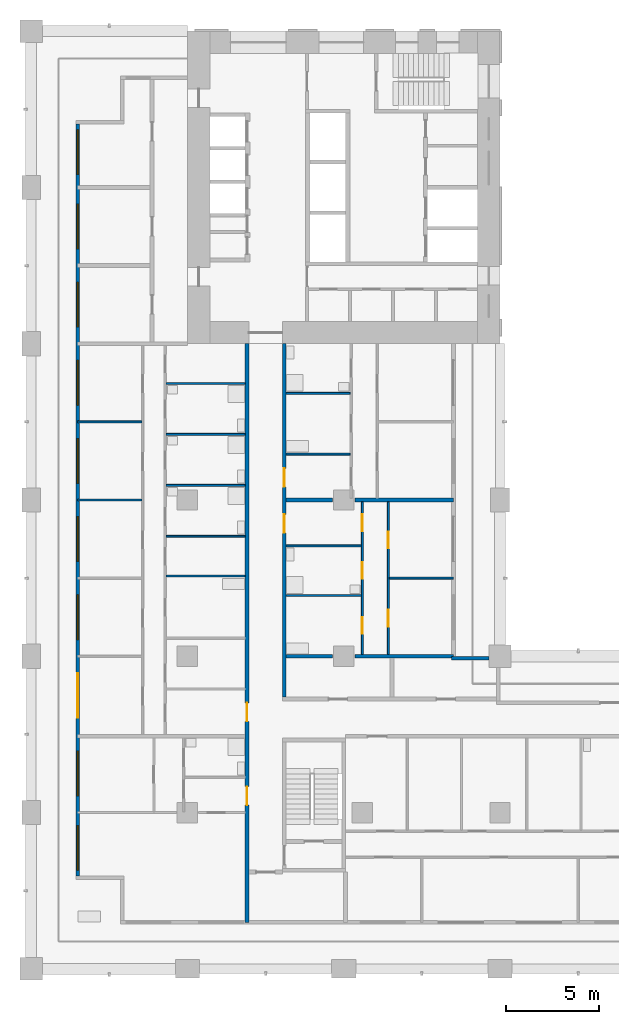
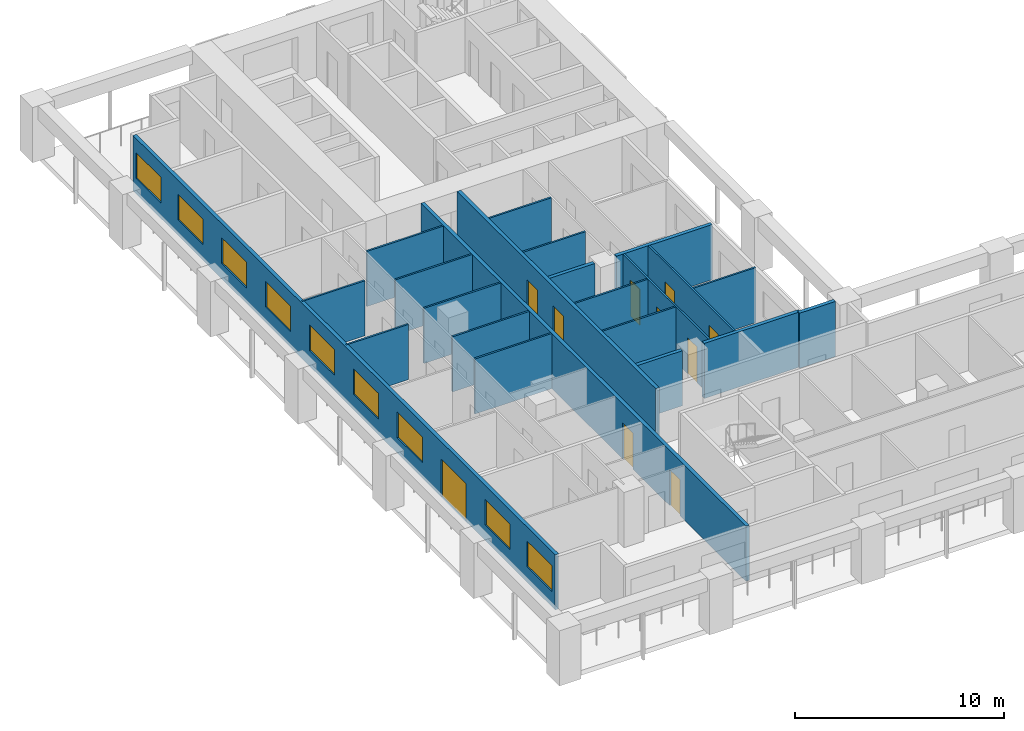
# One storey, part 4 of 17: 22 walls, 10 doors, 9 windows, 19 openings.
"""IFC4 building model written with IfcOpenShell, lengths in metres."""

from ifc_helpers import new_model, si_unit, direction, frame, frame_2d, origin, place, context, subcontext, project, spatial, rectangle, extrude, material, layer, layer_set, type_object, element, fill, save


model = new_model("IFC4")

# Units and contexts
model_context = context("Model", 3, precision=1e-05, world=origin(), true_north=direction((0.0, 1.0)))
body_context = subcontext(model_context, "Body", "Model", "MODEL_VIEW")
ifc_project = project(units=[si_unit("LENGTHUNIT", "METRE"), si_unit("AREAUNIT", "SQUARE_METRE"), si_unit("VOLUMEUNIT", "CUBIC_METRE"), si_unit("PLANEANGLEUNIT", "RADIAN"), si_unit("MASSUNIT", "GRAM", prefix="KILO")], contexts=[model_context])

# Site, building, storey
site_placement = place(None, origin())
site = spatial("IfcSite", under=ifc_project, at=site_placement, CompositionType="ELEMENT")
building_placement = place(site_placement, origin())
building = spatial("IfcBuilding", under=site, at=building_placement, Name="Vermilion Gate Residences", CompositionType="ELEMENT")
storey_placement = place(building_placement, frame((0.0, 0.0, 98.699951171875)))
storey = spatial("IfcBuildingStorey", under=building, at=storey_placement, Name="L24", CompositionType="ELEMENT", Elevation=98.699951171875)

# Wall, openings, door, windows
ifc_material_1 = material(Name="Insulated steel stud wall with terracotta rainscreen", Category="masonry")
ifc_layer_1 = layer(ifc_material_1, 0.199951171875)
ifc_layer_set_1 = layer_set([ifc_layer_1], Name="EXTERNAL WALL 200 TERRACOTTA RAINSCREEN")
wall_type_1 = type_object("IfcWallType", Name="EXTERNAL WALL 200 TERRACOTTA RAINSCREEN", PredefinedType="SOLIDWALL", material=ifc_layer_set_1)
wall_1_placement = place(storey_placement, frame((2.5, 53.800048828125, 0.0), z_axis=(0.0, 0.0, 1.0), x_axis=(0.0, -1.0, 0.0)))
wall_1 = element("IfcWall", 1, at=wall_1_placement, inside=storey, type_object=wall_type_1, Name="External wall", PredefinedType="SOLIDWALL", context=body_context, shape_type="SweptSolid", body=[
    extrude(rectangle(XDim=40.400146484375, YDim=0.199951171875, at=frame_2d((20.2001953125, 0.0))), origin(), (0.0, 0.0, 1.0), 3.219970703125),
])
opening_1_placement = place(wall_1_placement, frame((37.699951171875, 0.0, 0.89990234375)))
opening_1 = element("IfcOpeningElement", 2, at=opening_1_placement, cuts=wall_1, Name="Opening WE24002", PredefinedType="OPENING", context=body_context, shape_type="SweptSolid", body=[
    extrude(rectangle(XDim=2.39990234375, YDim=1.5, at=frame_2d((1.199951171875, 0.75))), frame((0.0, 0.10986328125, 0.0), z_axis=(0.0, -1.0, 0.0), x_axis=(1.0, 0.0, 0.0)), (0.0, 0.0, 1.0), 0.219970703125),
])
opening_2_placement = place(wall_1_placement, frame((33.699951171875, 0.0, 0.89990234375)))
opening_2 = element("IfcOpeningElement", 3, at=opening_2_placement, cuts=wall_1, Name="Opening WE24003", PredefinedType="OPENING", context=body_context, shape_type="SweptSolid", body=[
    extrude(rectangle(XDim=2.39990234375, YDim=1.5, at=frame_2d((1.199951171875, 0.75))), frame((0.0, 0.10986328125, 0.0), z_axis=(0.0, -1.0, 0.0), x_axis=(1.0, 0.0, 0.0)), (0.0, 0.0, 1.0), 0.219970703125),
])
opening_3_placement = place(wall_1_placement, frame((29.5, 0.0, 0.0)))
opening_3 = element("IfcOpeningElement", 4, at=opening_3_placement, cuts=wall_1, Name="Opening DE24004", PredefinedType="OPENING", context=body_context, shape_type="SweptSolid", body=[
    extrude(rectangle(XDim=2.39990234375, YDim=2.199951171875, at=frame_2d((1.199951171875, 1.10009765625))), frame((0.0, 0.10986328125, 0.0), z_axis=(0.0, -1.0, 0.0), x_axis=(1.0, 0.0, 0.0)), (0.0, 0.0, 1.0), 0.219970703125),
])
opening_4_placement = place(wall_1_placement, frame((25.300048828125, 0.0, 0.89990234375)))
opening_4 = element("IfcOpeningElement", 5, at=opening_4_placement, cuts=wall_1, Name="Opening WE24005", PredefinedType="OPENING", context=body_context, shape_type="SweptSolid", body=[
    extrude(rectangle(XDim=2.39990234375, YDim=1.5, at=frame_2d((1.199951171875, 0.75))), frame((0.0, 0.10986328125, 0.0), z_axis=(0.0, -1.0, 0.0), x_axis=(1.0, 0.0, 0.0)), (0.0, 0.0, 1.0), 0.219970703125),
])
opening_5_placement = place(wall_1_placement, frame((21.10009765625, 0.0, 0.89990234375)))
opening_5 = element("IfcOpeningElement", 6, at=opening_5_placement, cuts=wall_1, Name="Opening WE24006", PredefinedType="OPENING", context=body_context, shape_type="SweptSolid", body=[
    extrude(rectangle(XDim=2.39990234375, YDim=1.5, at=frame_2d((1.199951171875, 0.75))), frame((0.0, 0.10986328125, 0.0), z_axis=(0.0, -1.0, 0.0), x_axis=(1.0, 0.0, 0.0)), (0.0, 0.0, 1.0), 0.219970703125),
])
opening_6_placement = place(wall_1_placement, frame((16.89990234375, 0.0, 0.89990234375)))
opening_6 = element("IfcOpeningElement", 7, at=opening_6_placement, cuts=wall_1, Name="Opening WE24007", PredefinedType="OPENING", context=body_context, shape_type="SweptSolid", body=[
    extrude(rectangle(XDim=2.39990234375, YDim=1.5, at=frame_2d((1.199951171875, 0.75))), frame((0.0, 0.10986328125, 0.0), z_axis=(0.0, -1.0, 0.0), x_axis=(1.0, 0.0, 0.0)), (0.0, 0.0, 1.0), 0.219970703125),
])
opening_7_placement = place(wall_1_placement, frame((12.699951171875, 0.0, 0.89990234375)))
opening_7 = element("IfcOpeningElement", 8, at=opening_7_placement, cuts=wall_1, Name="Opening WE24008", PredefinedType="OPENING", context=body_context, shape_type="SweptSolid", body=[
    extrude(rectangle(XDim=2.39990234375, YDim=1.5, at=frame_2d((1.199951171875, 0.75))), frame((0.0, 0.10986328125, 0.0), z_axis=(0.0, -1.0, 0.0), x_axis=(1.0, 0.0, 0.0)), (0.0, 0.0, 1.0), 0.219970703125),
])
opening_8_placement = place(wall_1_placement, frame((8.5, 0.0, 0.89990234375)))
opening_8 = element("IfcOpeningElement", 9, at=opening_8_placement, cuts=wall_1, Name="Opening WE24009", PredefinedType="OPENING", context=body_context, shape_type="SweptSolid", body=[
    extrude(rectangle(XDim=2.39990234375, YDim=1.5, at=frame_2d((1.199951171875, 0.75))), frame((0.0, 0.10986328125, 0.0), z_axis=(0.0, -1.0, 0.0), x_axis=(1.0, 0.0, 0.0)), (0.0, 0.0, 1.0), 0.219970703125),
])
opening_9_placement = place(wall_1_placement, frame((4.300048828125, 0.0, 0.89990234375)))
opening_9 = element("IfcOpeningElement", 10, at=opening_9_placement, cuts=wall_1, Name="Opening WE24010", PredefinedType="OPENING", context=body_context, shape_type="SweptSolid", body=[
    extrude(rectangle(XDim=2.39990234375, YDim=1.5, at=frame_2d((1.199951171875, 0.75))), frame((0.0, 0.10986328125, 0.0), z_axis=(0.0, -1.0, 0.0), x_axis=(1.0, 0.0, 0.0)), (0.0, 0.0, 1.0), 0.219970703125),
])
opening_10_placement = place(wall_1_placement, frame((0.300048828125, 0.0, 0.89990234375)))
opening_10 = element("IfcOpeningElement", 11, at=opening_10_placement, cuts=wall_1, Name="Opening WE24011", PredefinedType="OPENING", context=body_context, shape_type="SweptSolid", body=[
    extrude(rectangle(XDim=2.39990234375, YDim=1.5, at=frame_2d((1.199951171875, 0.75))), frame((0.0, 0.10986328125, 0.0), z_axis=(0.0, -1.0, 0.0), x_axis=(1.0, 0.0, 0.0)), (0.0, 0.0, 1.0), 0.219970703125),
])
ifc_material_2 = material(Name="Aluminium and clear glass", Category="aluminium")
door_type_1 = type_object("IfcDoorType", Name="SLIDING GLAZED DOOR 2400 X 2200", OperationType="DOUBLE_DOOR_SLIDING", PredefinedType="DOOR", material=ifc_material_2)
door_1_placement = place(opening_3_placement, origin())
door_1 = element("IfcDoor", 12, at=door_1_placement, inside=storey, type_object=door_type_1, Name="Loggia sliding door", OperationType="DOUBLE_DOOR_SLIDING", OverallHeight=2.199951171875, OverallWidth=2.39990234375, PredefinedType="DOOR", context=body_context, shape_type="SweptSolid", body=[
    extrude(rectangle(XDim=2.39990234375, YDim=2.199951171875, at=frame_2d((1.199951171875, 1.10009765625))), frame((0.0, 0.02490234375, 0.0), z_axis=(0.0, -1.0, 0.0), x_axis=(1.0, 0.0, 0.0)), (0.0, 0.0, 1.0), 0.050048828125),
])
fill(opening_3, door_1)
ifc_material_3 = material(Name="Aluminium and clear glass", Category="aluminium")
window_type = type_object("IfcWindowType", Name="WINDOW 2400 X 1500", PartitioningType="SINGLE_PANEL", PredefinedType="WINDOW", material=ifc_material_3)
window_1_placement = place(opening_1_placement, origin())
window_1 = element("IfcWindow", 13, at=window_1_placement, inside=storey, type_object=window_type, Name="Window", OverallHeight=1.5, OverallWidth=2.39990234375, PartitioningType="SINGLE_PANEL", PredefinedType="WINDOW", context=body_context, shape_type="SweptSolid", body=[
    extrude(rectangle(XDim=2.39990234375, YDim=1.5, at=frame_2d((1.199951171875, 0.75))), frame((0.0, 0.030029296875, 0.0), z_axis=(0.0, -1.0, 0.0), x_axis=(1.0, 0.0, 0.0)), (0.0, 0.0, 1.0), 0.06005859375),
])
fill(opening_1, window_1)
window_2_placement = place(opening_2_placement, origin())
window_2 = element("IfcWindow", 14, at=window_2_placement, inside=storey, type_object=window_type, Name="Window", OverallHeight=1.5, OverallWidth=2.39990234375, PartitioningType="SINGLE_PANEL", PredefinedType="WINDOW", context=body_context, shape_type="SweptSolid", body=[
    extrude(rectangle(XDim=2.39990234375, YDim=1.5, at=frame_2d((1.199951171875, 0.75))), frame((0.0, 0.030029296875, 0.0), z_axis=(0.0, -1.0, 0.0), x_axis=(1.0, 0.0, 0.0)), (0.0, 0.0, 1.0), 0.06005859375),
])
fill(opening_2, window_2)
window_3_placement = place(opening_4_placement, origin())
window_3 = element("IfcWindow", 15, at=window_3_placement, inside=storey, type_object=window_type, Name="Window", OverallHeight=1.5, OverallWidth=2.39990234375, PartitioningType="SINGLE_PANEL", PredefinedType="WINDOW", context=body_context, shape_type="SweptSolid", body=[
    extrude(rectangle(XDim=2.39990234375, YDim=1.5, at=frame_2d((1.199951171875, 0.75))), frame((0.0, 0.030029296875, 0.0), z_axis=(0.0, -1.0, 0.0), x_axis=(1.0, 0.0, 0.0)), (0.0, 0.0, 1.0), 0.06005859375),
])
fill(opening_4, window_3)
window_4_placement = place(opening_5_placement, origin())
window_4 = element("IfcWindow", 16, at=window_4_placement, inside=storey, type_object=window_type, Name="Window", OverallHeight=1.5, OverallWidth=2.39990234375, PartitioningType="SINGLE_PANEL", PredefinedType="WINDOW", context=body_context, shape_type="SweptSolid", body=[
    extrude(rectangle(XDim=2.39990234375, YDim=1.5, at=frame_2d((1.199951171875, 0.75))), frame((0.0, 0.030029296875, 0.0), z_axis=(0.0, -1.0, 0.0), x_axis=(1.0, 0.0, 0.0)), (0.0, 0.0, 1.0), 0.06005859375),
])
fill(opening_5, window_4)
window_5_placement = place(opening_6_placement, origin())
window_5 = element("IfcWindow", 17, at=window_5_placement, inside=storey, type_object=window_type, Name="Window", OverallHeight=1.5, OverallWidth=2.39990234375, PartitioningType="SINGLE_PANEL", PredefinedType="WINDOW", context=body_context, shape_type="SweptSolid", body=[
    extrude(rectangle(XDim=2.39990234375, YDim=1.5, at=frame_2d((1.199951171875, 0.75))), frame((0.0, 0.030029296875, 0.0), z_axis=(0.0, -1.0, 0.0), x_axis=(1.0, 0.0, 0.0)), (0.0, 0.0, 1.0), 0.06005859375),
])
fill(opening_6, window_5)
window_6_placement = place(opening_7_placement, origin())
window_6 = element("IfcWindow", 18, at=window_6_placement, inside=storey, type_object=window_type, Name="Window", OverallHeight=1.5, OverallWidth=2.39990234375, PartitioningType="SINGLE_PANEL", PredefinedType="WINDOW", context=body_context, shape_type="SweptSolid", body=[
    extrude(rectangle(XDim=2.39990234375, YDim=1.5, at=frame_2d((1.199951171875, 0.75))), frame((0.0, 0.030029296875, 0.0), z_axis=(0.0, -1.0, 0.0), x_axis=(1.0, 0.0, 0.0)), (0.0, 0.0, 1.0), 0.06005859375),
])
fill(opening_7, window_6)
window_7_placement = place(opening_8_placement, origin())
window_7 = element("IfcWindow", 19, at=window_7_placement, inside=storey, type_object=window_type, Name="Window", OverallHeight=1.5, OverallWidth=2.39990234375, PartitioningType="SINGLE_PANEL", PredefinedType="WINDOW", context=body_context, shape_type="SweptSolid", body=[
    extrude(rectangle(XDim=2.39990234375, YDim=1.5, at=frame_2d((1.199951171875, 0.75))), frame((0.0, 0.030029296875, 0.0), z_axis=(0.0, -1.0, 0.0), x_axis=(1.0, 0.0, 0.0)), (0.0, 0.0, 1.0), 0.06005859375),
])
fill(opening_8, window_7)
window_8_placement = place(opening_9_placement, origin())
window_8 = element("IfcWindow", 20, at=window_8_placement, inside=storey, type_object=window_type, Name="Window", OverallHeight=1.5, OverallWidth=2.39990234375, PartitioningType="SINGLE_PANEL", PredefinedType="WINDOW", context=body_context, shape_type="SweptSolid", body=[
    extrude(rectangle(XDim=2.39990234375, YDim=1.5, at=frame_2d((1.199951171875, 0.75))), frame((0.0, 0.030029296875, 0.0), z_axis=(0.0, -1.0, 0.0), x_axis=(1.0, 0.0, 0.0)), (0.0, 0.0, 1.0), 0.06005859375),
])
fill(opening_9, window_8)
window_9_placement = place(opening_10_placement, origin())
window_9 = element("IfcWindow", 21, at=window_9_placement, inside=storey, type_object=window_type, Name="Window", OverallHeight=1.5, OverallWidth=2.39990234375, PartitioningType="SINGLE_PANEL", PredefinedType="WINDOW", context=body_context, shape_type="SweptSolid", body=[
    extrude(rectangle(XDim=2.39990234375, YDim=1.5, at=frame_2d((1.199951171875, 0.75))), frame((0.0, 0.030029296875, 0.0), z_axis=(0.0, -1.0, 0.0), x_axis=(1.0, 0.0, 0.0)), (0.0, 0.0, 1.0), 0.06005859375),
])
fill(opening_10, window_9)

# Walls
wall_2_placement = place(storey_placement, frame((24.60009765625, 25.10009765625, 0.0), z_axis=(0.0, 0.0, 1.0), x_axis=(-1.0, 0.0, 0.0)))
element("IfcWall", 22, at=wall_2_placement, inside=storey, type_object=wall_type_1, Name="External wall", PredefinedType="SOLIDWALL", context=body_context, shape_type="SweptSolid", body=[
    extrude(rectangle(XDim=2.0, YDim=0.199951171875, at=frame_2d((1.0, 0.0))), origin(), (0.0, 0.0, 1.0), 3.219970703125),
])
ifc_material_4 = material(Name="Plasterboard on steel studs", Category="steel")
ifc_layer_2 = layer(ifc_material_4, 0.10009765625)
ifc_layer_set_2 = layer_set([ifc_layer_2], Name="PARTITION 100")
wall_type_2 = type_object("IfcWallType", Name="PARTITION 100", PredefinedType="PARTITIONING", material=ifc_layer_set_2)
wall_3_placement = place(storey_placement, frame((13.699951171875, 28.467041015625, 0.0), z_axis=(0.0, 0.0, 1.0), x_axis=(1.0, 0.0, 0.0)))
element("IfcWall", 23, at=wall_3_placement, inside=storey, type_object=wall_type_2, Name="Partition", PredefinedType="PARTITIONING", context=body_context, shape_type="SweptSolid", body=[
    extrude(rectangle(XDim=4.050048828125, YDim=0.10009765625, at=frame_2d((2.02490234375, 0.0))), origin(), (0.0, 0.0, 1.0), 3.219970703125),
])
wall_4_placement = place(storey_placement, frame((19.25, 29.39990234375, 0.0), z_axis=(0.0, 0.0, 1.0), x_axis=(1.0, 0.0, 0.0)))
element("IfcWall", 24, at=wall_4_placement, inside=storey, type_object=wall_type_2, Name="Partition", PredefinedType="PARTITIONING", context=body_context, shape_type="SweptSolid", body=[
    extrude(rectangle(XDim=3.449951171875, YDim=0.10009765625, at=frame_2d((1.72509765625, 0.0))), origin(), (0.0, 0.0, 1.0), 3.219970703125),
])
wall_5_placement = place(storey_placement, frame((7.25, 29.512939453125, 0.0), z_axis=(0.0, 0.0, 1.0), x_axis=(1.0, 0.0, 0.0)))
element("IfcWall", 25, at=wall_5_placement, inside=storey, type_object=wall_type_2, Name="Partition", PredefinedType="PARTITIONING", context=body_context, shape_type="SweptSolid", body=[
    extrude(rectangle(XDim=4.25, YDim=0.10009765625, at=frame_2d((2.125, 0.0))), origin(), (0.0, 0.0, 1.0), 3.219970703125),
])
wall_6_placement = place(storey_placement, frame((13.699951171875, 31.133056640625, 0.0), z_axis=(0.0, 0.0, 1.0), x_axis=(1.0, 0.0, 0.0)))
element("IfcWall", 26, at=wall_6_placement, inside=storey, type_object=wall_type_2, Name="Partition", PredefinedType="PARTITIONING", context=body_context, shape_type="SweptSolid", body=[
    extrude(rectangle(XDim=4.050048828125, YDim=0.10009765625, at=frame_2d((2.02490234375, 0.0))), origin(), (0.0, 0.0, 1.0), 3.219970703125),
])
wall_7_placement = place(storey_placement, frame((7.25, 31.64990234375, 0.0), z_axis=(0.0, 0.0, 1.0), x_axis=(1.0, 0.0, 0.0)))
element("IfcWall", 27, at=wall_7_placement, inside=storey, type_object=wall_type_2, Name="Partition", PredefinedType="PARTITIONING", context=body_context, shape_type="SweptSolid", body=[
    extrude(rectangle(XDim=4.25, YDim=0.10009765625, at=frame_2d((2.125, 0.0))), origin(), (0.0, 0.0, 1.0), 3.219970703125),
])
wall_8_placement = place(storey_placement, frame((2.5, 33.60009765625, 0.0), z_axis=(0.0, 0.0, 1.0), x_axis=(1.0, 0.0, 0.0)))
element("IfcWall", 28, at=wall_8_placement, inside=storey, type_object=wall_type_2, Name="Partition", PredefinedType="PARTITIONING", context=body_context, shape_type="SweptSolid", body=[
    extrude(rectangle(XDim=3.449951171875, YDim=0.10009765625, at=frame_2d((1.72509765625, 0.0))), origin(), (0.0, 0.0, 1.0), 3.219970703125),
])
wall_9_placement = place(storey_placement, frame((7.25, 34.387939453125, 0.0), z_axis=(0.0, 0.0, 1.0), x_axis=(1.0, 0.0, 0.0)))
element("IfcWall", 29, at=wall_9_placement, inside=storey, type_object=wall_type_2, Name="Partition", PredefinedType="PARTITIONING", context=body_context, shape_type="SweptSolid", body=[
    extrude(rectangle(XDim=4.25, YDim=0.10009765625, at=frame_2d((2.125, 0.0))), origin(), (0.0, 0.0, 1.0), 3.219970703125),
])
wall_10_placement = place(storey_placement, frame((13.699951171875, 36.06689453125, 0.0), z_axis=(0.0, 0.0, 1.0), x_axis=(1.0, 0.0, 0.0)))
element("IfcWall", 30, at=wall_10_placement, inside=storey, type_object=wall_type_2, Name="Partition", PredefinedType="PARTITIONING", context=body_context, shape_type="SweptSolid", body=[
    extrude(rectangle(XDim=3.449951171875, YDim=0.10009765625, at=frame_2d((1.72509765625, 0.0))), origin(), (0.0, 0.0, 1.0), 3.219970703125),
])
wall_11_placement = place(storey_placement, frame((7.25, 37.125, 0.0), z_axis=(0.0, 0.0, 1.0), x_axis=(1.0, 0.0, 0.0)))
element("IfcWall", 31, at=wall_11_placement, inside=storey, type_object=wall_type_2, Name="Partition", PredefinedType="PARTITIONING", context=body_context, shape_type="SweptSolid", body=[
    extrude(rectangle(XDim=4.25, YDim=0.10009765625, at=frame_2d((2.125, 0.0))), origin(), (0.0, 0.0, 1.0), 3.219970703125),
])
for number, where, z_axis, x_axis, name in (
    (32, (2.5, 37.800048828125, 0.0), (0.0, 0.0, 1.0), (1.0, 0.0, 0.0), "Partition"),
    (33, (13.699951171875, 39.3330078125, 0.0), (0.0, 0.0, 1.0), (1.0, 0.0, 0.0), "Partition"),
):
    element("IfcWall", number, at=place(storey_placement, frame(where, z_axis=z_axis, x_axis=x_axis)), inside=storey, type_object=wall_type_2, Name=name, PredefinedType="PARTITIONING", context=body_context, shape_type="SweptSolid", body=[
        extrude(rectangle(XDim=3.449951171875, YDim=0.10009765625, at=frame_2d((1.72509765625, 0.0))), origin(), (0.0, 0.0, 1.0), 3.219970703125),
    ])
wall_12_placement = place(storey_placement, frame((7.25, 39.863037109375, 0.0), z_axis=(0.0, 0.0, 1.0), x_axis=(1.0, 0.0, 0.0)))
element("IfcWall", 34, at=wall_12_placement, inside=storey, type_object=wall_type_2, Name="Partition", PredefinedType="PARTITIONING", context=body_context, shape_type="SweptSolid", body=[
    extrude(rectangle(XDim=4.25, YDim=0.10009765625, at=frame_2d((2.125, 0.0))), origin(), (0.0, 0.0, 1.0), 3.219970703125),
])

# Wall, openings, doors
wall_13_placement = place(storey_placement, frame((17.800048828125, 25.300048828125, 0.0), z_axis=(0.0, 0.0, 1.0), x_axis=(0.0, 1.0, 0.0)))
wall_13 = element("IfcWall", 35, at=wall_13_placement, inside=storey, type_object=wall_type_2, Name="Partition", PredefinedType="PARTITIONING", context=body_context, shape_type="SweptSolid", body=[
    extrude(rectangle(XDim=8.199951171875, YDim=0.10009765625, at=frame_2d((4.10009765625, 0.0))), origin(), (0.0, 0.0, 1.0), 3.219970703125),
])
opening_11_placement = place(wall_13_placement, frame((6.633056640625, 0.0, 0.0)))
opening_11 = element("IfcOpeningElement", 36, at=opening_11_placement, cuts=wall_13, Name="Opening DA22043", PredefinedType="OPENING", context=body_context, shape_type="SweptSolid", body=[
    extrude(rectangle(XDim=0.89990234375, YDim=2.10009765625, at=frame_2d((0.449951171875, 1.050048828125))), frame((0.0, 0.06005859375, 0.0), z_axis=(0.0, -1.0, 0.0), x_axis=(1.0, 0.0, 0.0)), (0.0, 0.0, 1.0), 0.1201171875),
])
opening_12_placement = place(wall_13_placement, frame((1.10009765625, 0.0, 0.0)))
opening_12 = element("IfcOpeningElement", 37, at=opening_12_placement, cuts=wall_13, Name="Opening DA22044", PredefinedType="OPENING", context=body_context, shape_type="SweptSolid", body=[
    extrude(rectangle(XDim=0.89990234375, YDim=2.10009765625, at=frame_2d((0.449951171875, 1.050048828125))), frame((0.0, 0.06005859375, 0.0), z_axis=(0.0, -1.0, 0.0), x_axis=(1.0, 0.0, 0.0)), (0.0, 0.0, 1.0), 0.1201171875),
])
opening_13_placement = place(wall_13_placement, frame((4.06689453125, 0.0, 0.0)))
opening_13 = element("IfcOpeningElement", 38, at=opening_13_placement, cuts=wall_13, Name="Opening DA22045", PredefinedType="OPENING", context=body_context, shape_type="SweptSolid", body=[
    extrude(rectangle(XDim=0.89990234375, YDim=2.10009765625, at=frame_2d((0.449951171875, 1.050048828125))), frame((0.0, 0.06005859375, 0.0), z_axis=(0.0, -1.0, 0.0), x_axis=(1.0, 0.0, 0.0)), (0.0, 0.0, 1.0), 0.1201171875),
])
ifc_material_5 = material(Name="Timber", Category="wood")
door_type_2 = type_object("IfcDoorType", Name="INTERIOR DOOR 900 X 2100", OperationType="SINGLE_SWING_LEFT", PredefinedType="DOOR", material=ifc_material_5)
door_2_placement = place(opening_11_placement, frame((0.89990234375, 0.0, 0.0), z_axis=(0.0, 0.0, 1.0), x_axis=(-1.0, 0.0, 0.0)))
door_2 = element("IfcDoor", 39, at=door_2_placement, inside=storey, type_object=door_type_2, Name="Interior door", OperationType="SINGLE_SWING_LEFT", OverallHeight=2.10009765625, OverallWidth=0.89990234375, PredefinedType="DOOR", context=body_context, shape_type="SweptSolid", body=[
    extrude(rectangle(XDim=0.89990234375, YDim=2.10009765625, at=frame_2d((0.449951171875, 1.050048828125))), frame((0.0, 0.02490234375, 0.0), z_axis=(0.0, -1.0, 0.0), x_axis=(1.0, 0.0, 0.0)), (0.0, 0.0, 1.0), 0.050048828125),
])
fill(opening_11, door_2)
door_3_placement = place(opening_12_placement, origin())
door_3 = element("IfcDoor", 40, at=door_3_placement, inside=storey, type_object=door_type_2, Name="Interior door", OperationType="SINGLE_SWING_LEFT", OverallHeight=2.10009765625, OverallWidth=0.89990234375, PredefinedType="DOOR", context=body_context, shape_type="SweptSolid", body=[
    extrude(rectangle(XDim=0.89990234375, YDim=2.10009765625, at=frame_2d((0.449951171875, 1.050048828125))), frame((0.0, 0.02490234375, 0.0), z_axis=(0.0, -1.0, 0.0), x_axis=(1.0, 0.0, 0.0)), (0.0, 0.0, 1.0), 0.050048828125),
])
fill(opening_12, door_3)
door_4_placement = place(opening_13_placement, origin())
door_4 = element("IfcDoor", 41, at=door_4_placement, inside=storey, type_object=door_type_2, Name="Interior door", OperationType="SINGLE_SWING_LEFT", OverallHeight=2.10009765625, OverallWidth=0.89990234375, PredefinedType="DOOR", context=body_context, shape_type="SweptSolid", body=[
    extrude(rectangle(XDim=0.89990234375, YDim=2.10009765625, at=frame_2d((0.449951171875, 1.050048828125))), frame((0.0, 0.02490234375, 0.0), z_axis=(0.0, -1.0, 0.0), x_axis=(1.0, 0.0, 0.0)), (0.0, 0.0, 1.0), 0.050048828125),
])
fill(opening_13, door_4)

wall_14_placement = place(storey_placement, frame((19.199951171875, 25.300048828125, 0.0), z_axis=(0.0, 0.0, 1.0), x_axis=(0.0, 1.0, 0.0)))
wall_14 = element("IfcWall", 42, at=wall_14_placement, inside=storey, type_object=wall_type_2, Name="Partition", PredefinedType="PARTITIONING", context=body_context, shape_type="SweptSolid", body=[
    extrude(rectangle(XDim=8.199951171875, YDim=0.10009765625, at=frame_2d((4.10009765625, 0.0))), origin(), (0.0, 0.0, 1.0), 3.219970703125),
])
opening_14_placement = place(wall_14_placement, frame((1.5, 0.0, 0.0)))
opening_14 = element("IfcOpeningElement", 43, at=opening_14_placement, cuts=wall_14, Name="Opening DA22048", PredefinedType="OPENING", context=body_context, shape_type="SweptSolid", body=[
    extrude(rectangle(XDim=0.89990234375, YDim=2.10009765625, at=frame_2d((0.449951171875, 1.050048828125))), frame((0.0, 0.06005859375, 0.0), z_axis=(0.0, -1.0, 0.0), x_axis=(1.0, 0.0, 0.0)), (0.0, 0.0, 1.0), 0.1201171875),
])
opening_15_placement = place(wall_14_placement, frame((5.699951171875, 0.0, 0.0)))
opening_15 = element("IfcOpeningElement", 44, at=opening_15_placement, cuts=wall_14, Name="Opening DA22049", PredefinedType="OPENING", context=body_context, shape_type="SweptSolid", body=[
    extrude(rectangle(XDim=0.89990234375, YDim=2.10009765625, at=frame_2d((0.449951171875, 1.050048828125))), frame((0.0, 0.06005859375, 0.0), z_axis=(0.0, -1.0, 0.0), x_axis=(1.0, 0.0, 0.0)), (0.0, 0.0, 1.0), 0.1201171875),
])
door_5_placement = place(opening_14_placement, frame((0.89990234375, 0.0, 0.0), z_axis=(0.0, 0.0, 1.0), x_axis=(-1.0, 0.0, 0.0)))
door_5 = element("IfcDoor", 45, at=door_5_placement, inside=storey, type_object=door_type_2, Name="Interior door", OperationType="SINGLE_SWING_RIGHT", OverallHeight=2.10009765625, OverallWidth=0.89990234375, PredefinedType="DOOR", context=body_context, shape_type="SweptSolid", body=[
    extrude(rectangle(XDim=0.89990234375, YDim=2.10009765625, at=frame_2d((0.449951171875, 1.050048828125))), frame((0.0, 0.02490234375, 0.0), z_axis=(0.0, -1.0, 0.0), x_axis=(1.0, 0.0, 0.0)), (0.0, 0.0, 1.0), 0.050048828125),
])
fill(opening_14, door_5)
door_6_placement = place(opening_15_placement, frame((0.89990234375, 0.0, 0.0), z_axis=(0.0, 0.0, 1.0), x_axis=(-1.0, 0.0, 0.0)))
door_6 = element("IfcDoor", 46, at=door_6_placement, inside=storey, type_object=door_type_2, Name="Interior door", OperationType="SINGLE_SWING_RIGHT", OverallHeight=2.10009765625, OverallWidth=0.89990234375, PredefinedType="DOOR", context=body_context, shape_type="SweptSolid", body=[
    extrude(rectangle(XDim=0.89990234375, YDim=2.10009765625, at=frame_2d((0.449951171875, 1.050048828125))), frame((0.0, 0.02490234375, 0.0), z_axis=(0.0, -1.0, 0.0), x_axis=(1.0, 0.0, 0.0)), (0.0, 0.0, 1.0), 0.050048828125),
])
fill(opening_15, door_6)

# Walls
ifc_material_6 = material(Name="Fire-rated plasterboard on steel studs", Category="steel")
ifc_layer_3 = layer(ifc_material_6, 0.199951171875)
ifc_layer_set_3 = layer_set([ifc_layer_3], Name="PARTY WALL 200 EI 120")
wall_type_3 = type_object("IfcWallType", Name="PARTY WALL 200 EI 120", PredefinedType="PARTITIONING", material=ifc_layer_set_3)
wall_15_placement = place(storey_placement, frame((13.699951171875, 25.199951171875, 0.0), z_axis=(0.0, 0.0, 1.0), x_axis=(1.0, 0.0, 0.0)))
element("IfcWall", 47, at=wall_15_placement, inside=storey, type_object=wall_type_3, Name="Party and corridor wall", PredefinedType="PARTITIONING", context=body_context, shape_type="SweptSolid", body=[
    extrude(rectangle(XDim=2.5, YDim=0.199951171875, at=frame_2d((1.25, 0.0))), origin(), (0.0, 0.0, 1.0), 3.219970703125),
])
wall_16_placement = place(storey_placement, frame((17.39990234375, 25.199951171875, 0.0), z_axis=(0.0, 0.0, 1.0), x_axis=(1.0, 0.0, 0.0)))
element("IfcWall", 48, at=wall_16_placement, inside=storey, type_object=wall_type_3, Name="Party and corridor wall", PredefinedType="PARTITIONING", context=body_context, shape_type="SweptSolid", body=[
    extrude(rectangle(XDim=5.300048828125, YDim=0.199951171875, at=frame_2d((2.64990234375, 0.0))), origin(), (0.0, 0.0, 1.0), 3.219970703125),
])
wall_17_placement = place(storey_placement, frame((13.699951171875, 33.60009765625, 0.0), z_axis=(0.0, 0.0, 1.0), x_axis=(1.0, 0.0, 0.0)))
element("IfcWall", 49, at=wall_17_placement, inside=storey, type_object=wall_type_3, Name="Party and corridor wall", PredefinedType="PARTITIONING", context=body_context, shape_type="SweptSolid", body=[
    extrude(rectangle(XDim=2.5, YDim=0.199951171875, at=frame_2d((1.25, 0.0))), origin(), (0.0, 0.0, 1.0), 3.219970703125),
])
wall_18_placement = place(storey_placement, frame((17.39990234375, 33.60009765625, 0.0), z_axis=(0.0, 0.0, 1.0), x_axis=(1.0, 0.0, 0.0)))
element("IfcWall", 50, at=wall_18_placement, inside=storey, type_object=wall_type_3, Name="Party and corridor wall", PredefinedType="PARTITIONING", context=body_context, shape_type="SweptSolid", body=[
    extrude(rectangle(XDim=5.300048828125, YDim=0.199951171875, at=frame_2d((2.64990234375, 0.0))), origin(), (0.0, 0.0, 1.0), 3.219970703125),
])

# Wall, openings, doors
wall_19_placement = place(storey_placement, frame((11.60009765625, 10.89990234375, 0.0), z_axis=(0.0, 0.0, 1.0), x_axis=(0.0, 1.0, 0.0)))
wall_19 = element("IfcWall", 51, at=wall_19_placement, inside=storey, type_object=wall_type_3, Name="Party and corridor wall", PredefinedType="PARTITIONING", context=body_context, shape_type="SweptSolid", body=[
    extrude(rectangle(XDim=31.10009765625, YDim=0.199951171875, at=frame_2d((15.550048828125, 0.0))), origin(), (0.0, 0.0, 1.0), 3.219970703125),
])
opening_16_placement = place(wall_19_placement, frame((6.300048828125, 0.0, 0.0)))
opening_16 = element("IfcOpeningElement", 52, at=opening_16_placement, cuts=wall_19, Name="Opening DA22036", PredefinedType="OPENING", context=body_context, shape_type="SweptSolid", body=[
    extrude(rectangle(XDim=1.0, YDim=2.10009765625, at=frame_2d((0.5, 1.050048828125))), frame((0.0, 0.10986328125, 0.0), z_axis=(0.0, -1.0, 0.0), x_axis=(1.0, 0.0, 0.0)), (0.0, 0.0, 1.0), 0.219970703125),
])
opening_17_placement = place(wall_19_placement, frame((10.800048828125, 0.0, 0.0)))
opening_17 = element("IfcOpeningElement", 53, at=opening_17_placement, cuts=wall_19, Name="Opening DA22037", PredefinedType="OPENING", context=body_context, shape_type="SweptSolid", body=[
    extrude(rectangle(XDim=1.0, YDim=2.10009765625, at=frame_2d((0.5, 1.050048828125))), frame((0.0, 0.10986328125, 0.0), z_axis=(0.0, -1.0, 0.0), x_axis=(1.0, 0.0, 0.0)), (0.0, 0.0, 1.0), 0.219970703125),
])
ifc_material_7 = material(Name="Steel", Category="steel")
door_type_3 = type_object("IfcDoorType", Name="ENTRANCE DOOR 1000 X 2100 FD30", OperationType="SINGLE_SWING_LEFT", PredefinedType="DOOR", material=ifc_material_7)
door_7_placement = place(opening_16_placement, origin())
door_7 = element("IfcDoor", 54, at=door_7_placement, inside=storey, type_object=door_type_3, Name="Entrance door", OperationType="SINGLE_SWING_LEFT", OverallHeight=2.10009765625, OverallWidth=1.0, PredefinedType="DOOR", context=body_context, shape_type="SweptSolid", body=[
    extrude(rectangle(XDim=1.0, YDim=2.10009765625, at=frame_2d((0.5, 1.050048828125))), frame((0.0, 0.02490234375, 0.0), z_axis=(0.0, -1.0, 0.0), x_axis=(1.0, 0.0, 0.0)), (0.0, 0.0, 1.0), 0.050048828125),
])
fill(opening_16, door_7)
door_8_placement = place(opening_17_placement, origin())
door_8 = element("IfcDoor", 55, at=door_8_placement, inside=storey, type_object=door_type_3, Name="Entrance door", OperationType="SINGLE_SWING_RIGHT", OverallHeight=2.10009765625, OverallWidth=1.0, PredefinedType="DOOR", context=body_context, shape_type="SweptSolid", body=[
    extrude(rectangle(XDim=1.0, YDim=2.10009765625, at=frame_2d((0.5, 1.050048828125))), frame((0.0, 0.02490234375, 0.0), z_axis=(0.0, -1.0, 0.0), x_axis=(1.0, 0.0, 0.0)), (0.0, 0.0, 1.0), 0.050048828125),
])
fill(opening_17, door_8)

wall_20_placement = place(storey_placement, frame((13.60009765625, 23.0, 0.0), z_axis=(0.0, 0.0, 1.0), x_axis=(0.0, 1.0, 0.0)))
wall_20 = element("IfcWall", 56, at=wall_20_placement, inside=storey, type_object=wall_type_3, Name="Party and corridor wall", PredefinedType="PARTITIONING", context=body_context, shape_type="SweptSolid", body=[
    extrude(rectangle(XDim=19.0, YDim=0.199951171875, at=frame_2d((9.5, 0.0))), origin(), (0.0, 0.0, 1.0), 3.219970703125),
])
opening_18_placement = place(wall_20_placement, frame((8.8330078125, 0.0, 0.0)))
opening_18 = element("IfcOpeningElement", 57, at=opening_18_placement, cuts=wall_20, Name="Opening DA22038", PredefinedType="OPENING", context=body_context, shape_type="SweptSolid", body=[
    extrude(rectangle(XDim=1.0, YDim=2.10009765625, at=frame_2d((0.5, 1.050048828125))), frame((0.0, 0.10986328125, 0.0), z_axis=(0.0, -1.0, 0.0), x_axis=(1.0, 0.0, 0.0)), (0.0, 0.0, 1.0), 0.219970703125),
])
opening_19_placement = place(wall_20_placement, frame((11.300048828125, 0.0, 0.0)))
opening_19 = element("IfcOpeningElement", 58, at=opening_19_placement, cuts=wall_20, Name="Opening DA22039", PredefinedType="OPENING", context=body_context, shape_type="SweptSolid", body=[
    extrude(rectangle(XDim=1.0, YDim=2.10009765625, at=frame_2d((0.5, 1.050048828125))), frame((0.0, 0.10986328125, 0.0), z_axis=(0.0, -1.0, 0.0), x_axis=(1.0, 0.0, 0.0)), (0.0, 0.0, 1.0), 0.219970703125),
])
door_9_placement = place(opening_18_placement, frame((1.0, 0.0, 0.0), z_axis=(0.0, 0.0, 1.0), x_axis=(-1.0, 0.0, 0.0)))
door_9 = element("IfcDoor", 59, at=door_9_placement, inside=storey, type_object=door_type_3, Name="Entrance door", OperationType="SINGLE_SWING_RIGHT", OverallHeight=2.10009765625, OverallWidth=1.0, PredefinedType="DOOR", context=body_context, shape_type="SweptSolid", body=[
    extrude(rectangle(XDim=1.0, YDim=2.10009765625, at=frame_2d((0.5, 1.050048828125))), frame((0.0, 0.02490234375, 0.0), z_axis=(0.0, -1.0, 0.0), x_axis=(1.0, 0.0, 0.0)), (0.0, 0.0, 1.0), 0.050048828125),
])
fill(opening_18, door_9)
door_10_placement = place(opening_19_placement, frame((1.0, 0.0, 0.0), z_axis=(0.0, 0.0, 1.0), x_axis=(-1.0, 0.0, 0.0)))
door_10 = element("IfcDoor", 60, at=door_10_placement, inside=storey, type_object=door_type_3, Name="Entrance door", OperationType="SINGLE_SWING_RIGHT", OverallHeight=2.10009765625, OverallWidth=1.0, PredefinedType="DOOR", context=body_context, shape_type="SweptSolid", body=[
    extrude(rectangle(XDim=1.0, YDim=2.10009765625, at=frame_2d((0.5, 1.050048828125))), frame((0.0, 0.02490234375, 0.0), z_axis=(0.0, -1.0, 0.0), x_axis=(1.0, 0.0, 0.0)), (0.0, 0.0, 1.0), 0.050048828125),
])
fill(opening_19, door_10)

save(model, "model.ifc")
